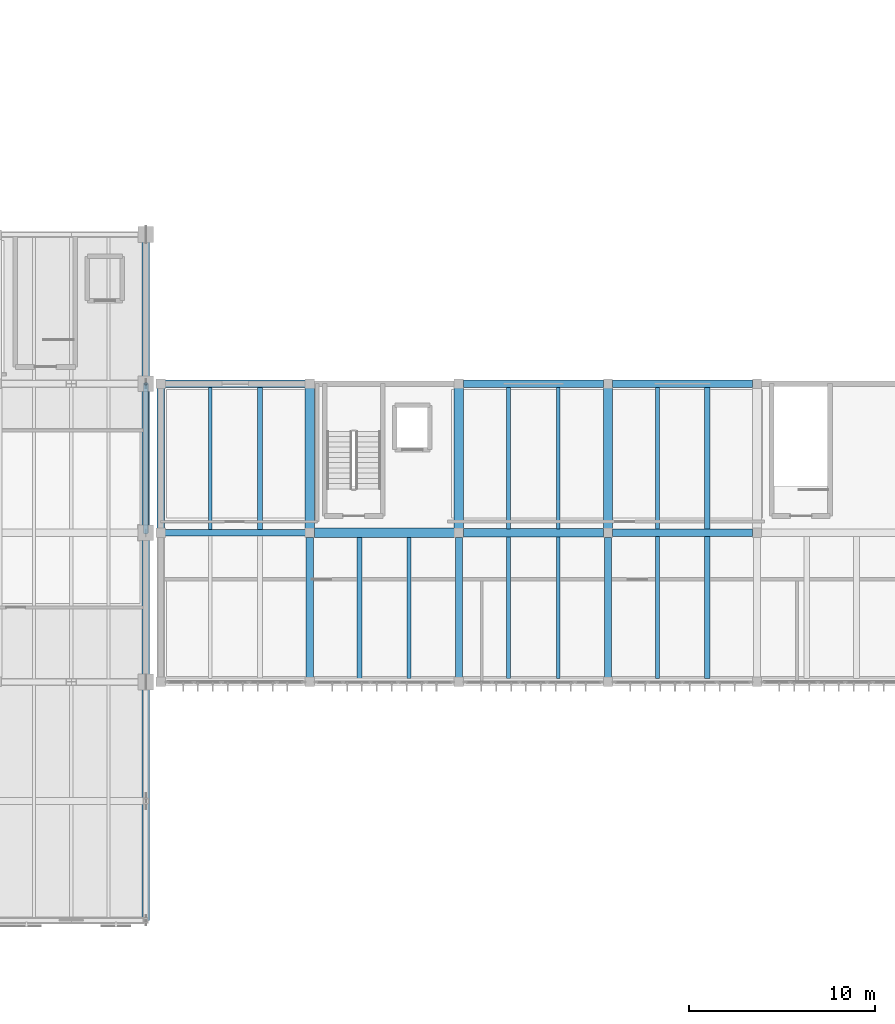
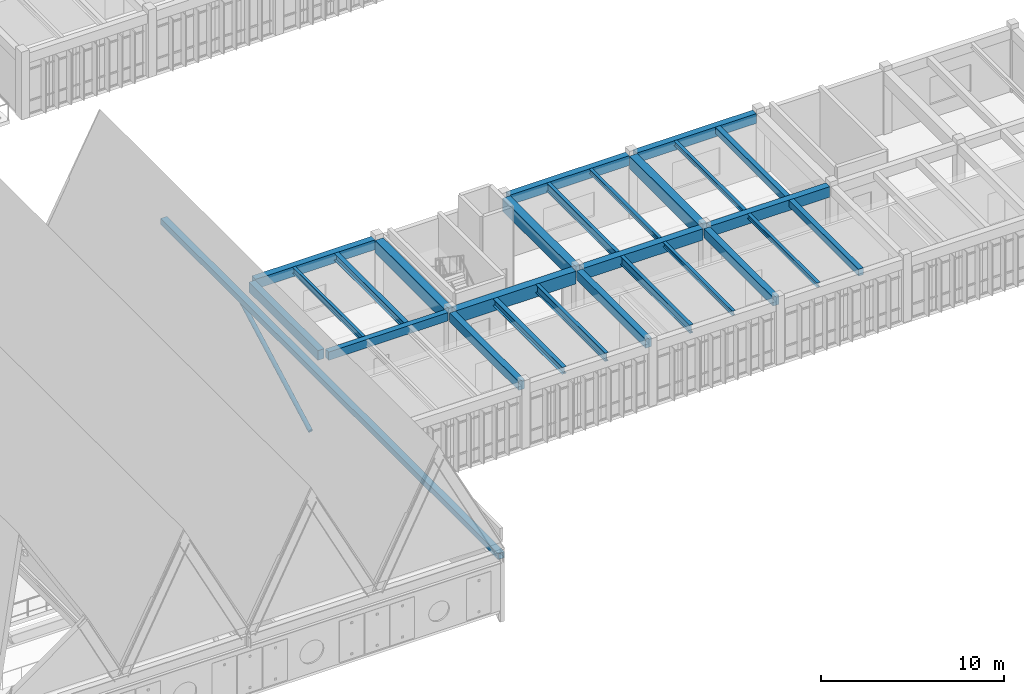
# One storey, part 17 of 72: 26 beams, 2 members.
"""IFC4 building model written with IfcOpenShell, lengths in metres."""

from ifc_helpers import new_model, si_unit, direction, frame, origin, origin_2d, place, context, subcontext, project, spatial, rectangle, hollow_rectangle, hollow_circle, i_section, extrude, material, material_profile, profile_set, type_object, element, save


model = new_model("IFC4")

# Units and contexts
model_context = context("Model", 3, precision=1e-05, world=origin(), true_north=direction((0.0, 1.0)))
body_context = subcontext(model_context, "Body", "Model", "MODEL_VIEW")
ifc_project = project(units=[si_unit("LENGTHUNIT", "METRE"), si_unit("AREAUNIT", "SQUARE_METRE"), si_unit("VOLUMEUNIT", "CUBIC_METRE"), si_unit("PLANEANGLEUNIT", "RADIAN"), si_unit("MASSUNIT", "GRAM", prefix="KILO")], contexts=[model_context])

# Site, building, storey
site_placement = place(None, origin())
site = spatial("IfcSite", under=ifc_project, at=site_placement, CompositionType="ELEMENT")
building_placement = place(site_placement, origin())
building = spatial("IfcBuilding", under=site, at=building_placement, Name="Tlaxcora Railside Police Headquarters", CompositionType="ELEMENT")
storey_placement = place(building_placement, frame((0.0, 0.0, 13.5)))
storey = spatial("IfcBuildingStorey", under=building, at=storey_placement, Name="L03", CompositionType="ELEMENT", Elevation=13.5)

# Member
ifc_material_1 = material(Name="Steel ASTM A992 Grade 50", Category="steel")
ifc_material_profile_1 = material_profile(ifc_material_1, hollow_circle(Radius=0.136474609375, WallThickness=0.011962890625, at=origin_2d()), Name="CHS273X12")
ifc_profile_set_1 = profile_set([ifc_material_profile_1], Name="Steel ASTM A992 Grade 50")
member_type_1 = type_object("IfcMemberType", Name="Diagonal Brace Member MB-16", PredefinedType="BRACE", material=ifc_profile_set_1)
member_1_placement = place(storey_placement, frame((102.0, 52.0, 3.52001953125), z_axis=(0.0, -0.879902254176, -0.475154735951), x_axis=(1.0, 0.0, 0.0)))
element("IfcMember", 1, at=member_1_placement, inside=storey, type_object=member_type_1, Name="Truss TR-4 L03 web diagonal 2", PredefinedType="BRACE", context=body_context, shape_type="SweptSolid", body=[
    extrude(hollow_circle(Radius=0.136474609375, WallThickness=0.011962890625, at=origin_2d()), origin(), (0.0, 0.0, 1.0), 9.092041015625),
])

# Beams
ifc_material_2 = material(Name="Concrete C40/50", Category="concrete")
ifc_material_profile_2 = material_profile(ifc_material_2, rectangle(XDim=0.39990234375, YDim=0.64990234375, at=origin_2d()), Name="RC400X650")
ifc_profile_set_2 = profile_set([ifc_material_profile_2], Name="Concrete C40/50")
beam_type_1 = type_object("IfcBeamType", Name="Perimeter Spandrel Beam BM-46", PredefinedType="SPANDREL", material=ifc_profile_set_2)
for number, where, z_axis, x_axis, name in (
    (2, (103.0400390625, 52.0, 3.864990234375), (1.0, 0.0, 0.0), (0.0, 1.0, 0.0), "V7 L03 X-girder Y=52.0"),
    (3, (119.0400390625, 52.0, 3.864990234375), (1.0, 0.0, 0.0), (0.0, 1.0, 0.0), "V7 L03 X-girder Y=52.0"),
    (4, (127.0400390625, 52.0, 3.864990234375), (1.0, 0.0, 0.0), (0.0, 1.0, 0.0), "V7 L03 X-girder Y=52.0"),
    (5, (102.800048828125, 44.239990234375, 3.864990234375), (0.0, 1.0, 0.0), (-1.0, 0.0, 0.0), "V7 L03 Y-girder X=102.8"),
):
    element("IfcBeam", number, at=place(storey_placement, frame(where, z_axis=z_axis, x_axis=x_axis)), inside=storey, type_object=beam_type_1, Name=name, PredefinedType="SPANDREL", context=body_context, shape_type="SweptSolid", body=[
        extrude(rectangle(XDim=0.39990234375, YDim=0.64990234375, at=origin_2d()), origin(), (0.0, 0.0, 1.0), 7.52001953125),
    ])
ifc_material_profile_3 = material_profile(ifc_material_2, rectangle(XDim=0.3798828125, YDim=0.60009765625, at=origin_2d()), Name="RC380X600")
ifc_profile_set_3 = profile_set([ifc_material_profile_3], Name="Concrete C40/50")
beam_type_2 = type_object("IfcBeamType", Name="Primary Frame Girder BM-22", PredefinedType="BEAM", material=ifc_profile_set_3)
for number, where, z_axis, x_axis, name in (
    (6, (110.800048828125, 36.239990234375, 3.889892578125), (0.0, 1.0, 0.0), (-1.0, 0.0, 0.0), "V7 L03 Y-girder X=110.8"),
    (7, (118.800048828125, 36.239990234375, 3.889892578125), (0.0, 1.0, 0.0), (-1.0, 0.0, 0.0), "V7 L03 Y-girder X=118.8"),
    (8, (126.800048828125, 36.239990234375, 3.889892578125), (0.0, 1.0, 0.0), (-1.0, 0.0, 0.0), "V7 L03 Y-girder X=126.8"),
):
    element("IfcBeam", number, at=place(storey_placement, frame(where, z_axis=z_axis, x_axis=x_axis)), inside=storey, type_object=beam_type_2, Name=name, PredefinedType="BEAM", context=body_context, shape_type="SweptSolid", body=[
        extrude(rectangle(XDim=0.3798828125, YDim=0.60009765625, at=origin_2d()), origin(), (0.0, 0.0, 1.0), 7.52001953125),
    ])
ifc_material_profile_4 = material_profile(ifc_material_2, rectangle(XDim=0.419921875, YDim=0.699951171875, at=origin_2d()), Name="RC420X700")
ifc_profile_set_4 = profile_set([ifc_material_profile_4], Name="Concrete C40/50")
beam_type_3 = type_object("IfcBeamType", Name="Primary Frame Girder BM-35", PredefinedType="BEAM", material=ifc_profile_set_4)
beam_1_placement = place(storey_placement, frame((127.0400390625, 44.0, 3.840087890625), z_axis=(1.0, 0.0, 0.0), x_axis=(0.0, 1.0, 0.0)))
element("IfcBeam", 9, at=beam_1_placement, inside=storey, type_object=beam_type_3, Name="V7 L03 X-girder Y=44.0", PredefinedType="BEAM", context=body_context, shape_type="SweptSolid", body=[
    extrude(rectangle(XDim=0.419921875, YDim=0.699951171875, at=origin_2d()), origin(), (0.0, 0.0, 1.0), 7.52001953125),
])
ifc_material_profile_5 = material_profile(ifc_material_2, rectangle(XDim=0.35009765625, YDim=0.550048828125, at=origin_2d()), Name="RC350X550")
ifc_profile_set_5 = profile_set([ifc_material_profile_5], Name="Concrete C40/50")
beam_type_4 = type_object("IfcBeamType", Name="Primary Frame Girder BM-39", PredefinedType="BEAM", material=ifc_profile_set_5)
beam_2_placement = place(storey_placement, frame((103.0400390625, 44.0, 3.9150390625), z_axis=(1.0, 0.0, 0.0), x_axis=(0.0, 1.0, 0.0)))
element("IfcBeam", 10, at=beam_2_placement, inside=storey, type_object=beam_type_4, Name="V7 L03 X-girder Y=44.0", PredefinedType="BEAM", context=body_context, shape_type="SweptSolid", body=[
    extrude(rectangle(XDim=0.35009765625, YDim=0.550048828125, at=origin_2d()), origin(), (0.0, 0.0, 1.0), 7.52001953125),
])
ifc_material_profile_6 = material_profile(ifc_material_2, rectangle(XDim=0.5, YDim=0.85009765625, at=origin_2d()), Name="RC500X850")
ifc_profile_set_6 = profile_set([ifc_material_profile_6], Name="Concrete C40/50")
beam_type_5 = type_object("IfcBeamType", Name="Primary Frame Girder BM-64", PredefinedType="BEAM", material=ifc_profile_set_6)
for number, where, z_axis, x_axis, name in (
    (11, (111.0400390625, 44.0, 3.764892578125), (1.0, 0.0, 0.0), (0.0, 1.0, 0.0), "V7 L03 X-girder Y=44.0"),
    (12, (110.800048828125, 44.239990234375, 3.764892578125), (0.0, 1.0, 0.0), (-1.0, 0.0, 0.0), "V7 L03 Y-girder X=110.8"),
    (13, (118.800048828125, 44.239990234375, 3.764892578125), (0.0, 1.0, 0.0), (-1.0, 0.0, 0.0), "V7 L03 Y-girder X=118.8"),
    (14, (126.800048828125, 44.239990234375, 3.764892578125), (0.0, 1.0, 0.0), (-1.0, 0.0, 0.0), "V7 L03 Y-girder X=126.8"),
):
    element("IfcBeam", number, at=place(storey_placement, frame(where, z_axis=z_axis, x_axis=x_axis)), inside=storey, type_object=beam_type_5, Name=name, PredefinedType="BEAM", context=body_context, shape_type="SweptSolid", body=[
        extrude(rectangle(XDim=0.5, YDim=0.85009765625, at=origin_2d()), origin(), (0.0, 0.0, 1.0), 7.52001953125),
    ])
ifc_material_profile_7 = material_profile(ifc_material_2, rectangle(XDim=0.449951171875, YDim=0.75, at=origin_2d()), Name="RC450X750")
ifc_profile_set_7 = profile_set([ifc_material_profile_7], Name="Concrete C40/50")
beam_type_6 = type_object("IfcBeamType", Name="Primary Frame Girder BM-73", PredefinedType="BEAM", material=ifc_profile_set_7)
beam_3_placement = place(storey_placement, frame((119.0400390625, 44.0, 3.81494140625), z_axis=(1.0, 0.0, 0.0), x_axis=(0.0, 1.0, 0.0)))
element("IfcBeam", 15, at=beam_3_placement, inside=storey, type_object=beam_type_6, Name="V7 L03 X-girder Y=44.0", PredefinedType="BEAM", context=body_context, shape_type="SweptSolid", body=[
    extrude(rectangle(XDim=0.449951171875, YDim=0.75, at=origin_2d()), origin(), (0.0, 0.0, 1.0), 7.52001953125),
])
ifc_material_3 = material(Name="Concrete C35/45", Category="concrete")
ifc_material_profile_8 = material_profile(ifc_material_3, rectangle(XDim=0.300048828125, YDim=0.449951171875, at=origin_2d()), Name="RC300X450")
ifc_profile_set_8 = profile_set([ifc_material_profile_8], Name="Concrete C35/45")
beam_type_7 = type_object("IfcBeamType", Name="Secondary Floor Joist BM-27", PredefinedType="JOIST", material=ifc_profile_set_8)
for number, where, z_axis, x_axis, name in (
    (16, (132.13330078125, 36.19189453125, 3.965087890625), (0.0, 1.0, 0.0), (-1.0, 0.0, 0.0), "V7 L03 floor joist X=132.13"),
    (17, (132.13330078125, 44.201904296875, 3.965087890625), (0.0, 1.0, 0.0), (-1.0, 0.0, 0.0), "V7 L03 floor joist X=132.13"),
):
    element("IfcBeam", number, at=place(storey_placement, frame(where, z_axis=z_axis, x_axis=x_axis)), inside=storey, type_object=beam_type_7, Name=name, PredefinedType="JOIST", context=body_context, shape_type="SweptSolid", body=[
        extrude(rectangle(XDim=0.300048828125, YDim=0.449951171875, at=origin_2d()), origin(), (0.0, 0.0, 1.0), 7.606201171875),
    ])
ifc_material_profile_9 = material_profile(ifc_material_1, i_section(OverallWidth=0.280029296875, OverallDepth=0.4619140625, WebThickness=0.0107421875, FlangeThickness=0.017333984375, at=origin_2d()), Name="W18X76")
ifc_profile_set_9 = profile_set([ifc_material_profile_9], Name="Steel ASTM A992 Grade 50")
beam_type_8 = type_object("IfcBeamType", Name="Secondary Floor Joist BM-44", PredefinedType="JOIST", material=ifc_profile_set_9)
beam_4_placement = place(storey_placement, frame((113.466796875, 36.19189453125, 3.958984375), z_axis=(0.0, 1.0, 0.0), x_axis=(-1.0, 0.0, 0.0)))
element("IfcBeam", 18, at=beam_4_placement, inside=storey, type_object=beam_type_8, Name="V7 L03 floor joist X=113.47", PredefinedType="JOIST", context=body_context, shape_type="SweptSolid", body=[
    extrude(i_section(OverallWidth=0.280029296875, OverallDepth=0.4619140625, WebThickness=0.0107421875, FlangeThickness=0.017333984375, at=origin_2d()), origin(), (0.0, 0.0, 1.0), 7.566162109375),
])
beam_5_placement = place(storey_placement, frame((108.13330078125, 44.1669921875, 3.958984375), z_axis=(0.0, 1.0, 0.0), x_axis=(-1.0, 0.0, 0.0)))
element("IfcBeam", 19, at=beam_5_placement, inside=storey, type_object=beam_type_8, Name="V7 L03 floor joist X=108.13", PredefinedType="JOIST", context=body_context, shape_type="SweptSolid", body=[
    extrude(i_section(OverallWidth=0.280029296875, OverallDepth=0.4619140625, WebThickness=0.0107421875, FlangeThickness=0.017333984375, at=origin_2d()), origin(), (0.0, 0.0, 1.0), 7.64111328125),
])
ifc_material_profile_10 = material_profile(ifc_material_1, i_section(OverallWidth=0.180908203125, OverallDepth=0.4169921875, WebThickness=0.010009765625, FlangeThickness=0.018310546875, at=origin_2d()), Name="W16X57")
ifc_profile_set_10 = profile_set([ifc_material_profile_10], Name="Steel ASTM A992 Grade 50")
beam_type_9 = type_object("IfcBeamType", Name="Secondary Floor Joist BM-84", PredefinedType="JOIST", material=ifc_profile_set_10)
beam_6_placement = place(storey_placement, frame((105.466796875, 44.1669921875, 3.9814453125), z_axis=(0.0, 1.0, 0.0), x_axis=(-1.0, 0.0, 0.0)))
element("IfcBeam", 20, at=beam_6_placement, inside=storey, type_object=beam_type_9, Name="V7 L03 floor joist X=105.47", PredefinedType="JOIST", context=body_context, shape_type="SweptSolid", body=[
    extrude(i_section(OverallWidth=0.180908203125, OverallDepth=0.4169921875, WebThickness=0.010009765625, FlangeThickness=0.018310546875, at=origin_2d()), origin(), (0.0, 0.0, 1.0), 7.64111328125),
])
ifc_material_profile_11 = material_profile(ifc_material_1, i_section(OverallWidth=0.202880859375, OverallDepth=0.302978515625, WebThickness=0.007568359375, FlangeThickness=0.01318359375, at=origin_2d()), Name="W12X40")
ifc_profile_set_11 = profile_set([ifc_material_profile_11], Name="Steel ASTM A992 Grade 50")
beam_type_10 = type_object("IfcBeamType", Name="Secondary Floor Joist BM-96", PredefinedType="JOIST", material=ifc_profile_set_11)
beam_7_placement = place(storey_placement, frame((124.13330078125, 36.19189453125, 4.03857421875), z_axis=(0.0, 1.0, 0.0), x_axis=(-1.0, 0.0, 0.0)))
element("IfcBeam", 21, at=beam_7_placement, inside=storey, type_object=beam_type_10, Name="V7 L03 floor joist X=124.13", PredefinedType="JOIST", context=body_context, shape_type="SweptSolid", body=[
    extrude(i_section(OverallWidth=0.202880859375, OverallDepth=0.302978515625, WebThickness=0.007568359375, FlangeThickness=0.01318359375, at=origin_2d()), origin(), (0.0, 0.0, 1.0), 7.591064453125),
])
beam_8_placement = place(storey_placement, frame((129.466796875, 36.19189453125, 4.03857421875), z_axis=(0.0, 1.0, 0.0), x_axis=(-1.0, 0.0, 0.0)))
element("IfcBeam", 22, at=beam_8_placement, inside=storey, type_object=beam_type_10, Name="V7 L03 floor joist X=129.47", PredefinedType="JOIST", context=body_context, shape_type="SweptSolid", body=[
    extrude(i_section(OverallWidth=0.202880859375, OverallDepth=0.302978515625, WebThickness=0.007568359375, FlangeThickness=0.01318359375, at=origin_2d()), origin(), (0.0, 0.0, 1.0), 7.606201171875),
])
beam_9_placement = place(storey_placement, frame((124.13330078125, 44.217041015625, 4.03857421875), z_axis=(0.0, 1.0, 0.0), x_axis=(-1.0, 0.0, 0.0)))
element("IfcBeam", 23, at=beam_9_placement, inside=storey, type_object=beam_type_10, Name="V7 L03 floor joist X=124.13", PredefinedType="JOIST", context=body_context, shape_type="SweptSolid", body=[
    extrude(i_section(OverallWidth=0.202880859375, OverallDepth=0.302978515625, WebThickness=0.007568359375, FlangeThickness=0.01318359375, at=origin_2d()), origin(), (0.0, 0.0, 1.0), 7.591064453125),
])
beam_10_placement = place(storey_placement, frame((129.466796875, 44.201904296875, 4.03857421875), z_axis=(0.0, 1.0, 0.0), x_axis=(-1.0, 0.0, 0.0)))
element("IfcBeam", 24, at=beam_10_placement, inside=storey, type_object=beam_type_10, Name="V7 L03 floor joist X=129.47", PredefinedType="JOIST", context=body_context, shape_type="SweptSolid", body=[
    extrude(i_section(OverallWidth=0.202880859375, OverallDepth=0.302978515625, WebThickness=0.007568359375, FlangeThickness=0.01318359375, at=origin_2d()), origin(), (0.0, 0.0, 1.0), 7.606201171875),
])
ifc_material_profile_12 = material_profile(ifc_material_1, i_section(OverallWidth=0.214111328125, OverallDepth=0.549072265625, WebThickness=0.0146484375, FlangeThickness=0.023681640625, at=origin_2d()), Name="W21X93")
ifc_profile_set_12 = profile_set([ifc_material_profile_12], Name="Steel ASTM A992 Grade 50")
beam_type_11 = type_object("IfcBeamType", Name="Secondary Floor Joist BM-97", PredefinedType="JOIST", material=ifc_profile_set_12)
beam_11_placement = place(storey_placement, frame((116.13330078125, 36.19189453125, 3.91552734375), z_axis=(0.0, 1.0, 0.0), x_axis=(-1.0, 0.0, 0.0)))
element("IfcBeam", 25, at=beam_11_placement, inside=storey, type_object=beam_type_11, Name="V7 L03 floor joist X=116.13", PredefinedType="JOIST", context=body_context, shape_type="SweptSolid", body=[
    extrude(i_section(OverallWidth=0.214111328125, OverallDepth=0.549072265625, WebThickness=0.0146484375, FlangeThickness=0.023681640625, at=origin_2d()), origin(), (0.0, 0.0, 1.0), 7.566162109375),
])
for number, where, z_axis, x_axis, name in (
    (26, (121.466796875, 36.19189453125, 3.91552734375), (0.0, 1.0, 0.0), (-1.0, 0.0, 0.0), "V7 L03 floor joist X=121.47"),
    (27, (121.466796875, 44.217041015625, 3.91552734375), (0.0, 1.0, 0.0), (-1.0, 0.0, 0.0), "V7 L03 floor joist X=121.47"),
):
    element("IfcBeam", number, at=place(storey_placement, frame(where, z_axis=z_axis, x_axis=x_axis)), inside=storey, type_object=beam_type_11, Name=name, PredefinedType="JOIST", context=body_context, shape_type="SweptSolid", body=[
        extrude(i_section(OverallWidth=0.214111328125, OverallDepth=0.549072265625, WebThickness=0.0146484375, FlangeThickness=0.023681640625, at=origin_2d()), origin(), (0.0, 0.0, 1.0), 7.591064453125),
    ])

# Member
ifc_material_profile_13 = material_profile(ifc_material_1, hollow_rectangle(XDim=0.39990234375, YDim=0.39990234375, WallThickness=0.01611328125, at=origin_2d()), Name="HSS400X400X16")
ifc_profile_set_13 = profile_set([ifc_material_profile_13], Name="Steel ASTM A992 Grade 50")
member_type_2 = type_object("IfcMemberType", Name="Truss Chord Member MB-72", PredefinedType="CHORD", material=ifc_profile_set_13)
member_2_placement = place(storey_placement, frame((102.0, 60.0, 3.52001953125), z_axis=(0.0, -1.0, 0.0), x_axis=(1.0, 0.0, 0.0)))
element("IfcMember", 28, at=member_2_placement, inside=storey, type_object=member_type_2, Name="Cantilever truss TR-4 top chord", PredefinedType="CHORD", context=body_context, shape_type="SweptSolid", body=[
    extrude(hollow_rectangle(XDim=0.39990234375, YDim=0.39990234375, WallThickness=0.01611328125, at=origin_2d()), origin(), (0.0, 0.0, 1.0), 36.800048828125),
])

save(model, "model.ifc")
